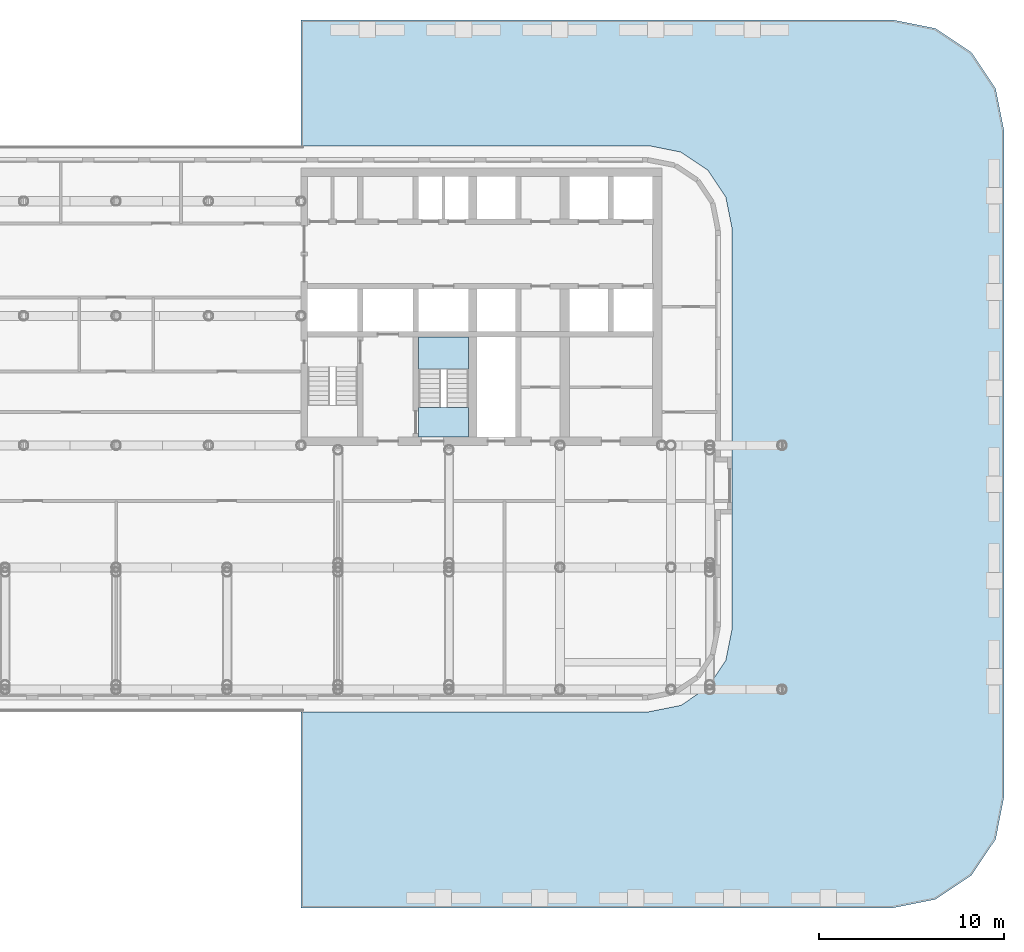
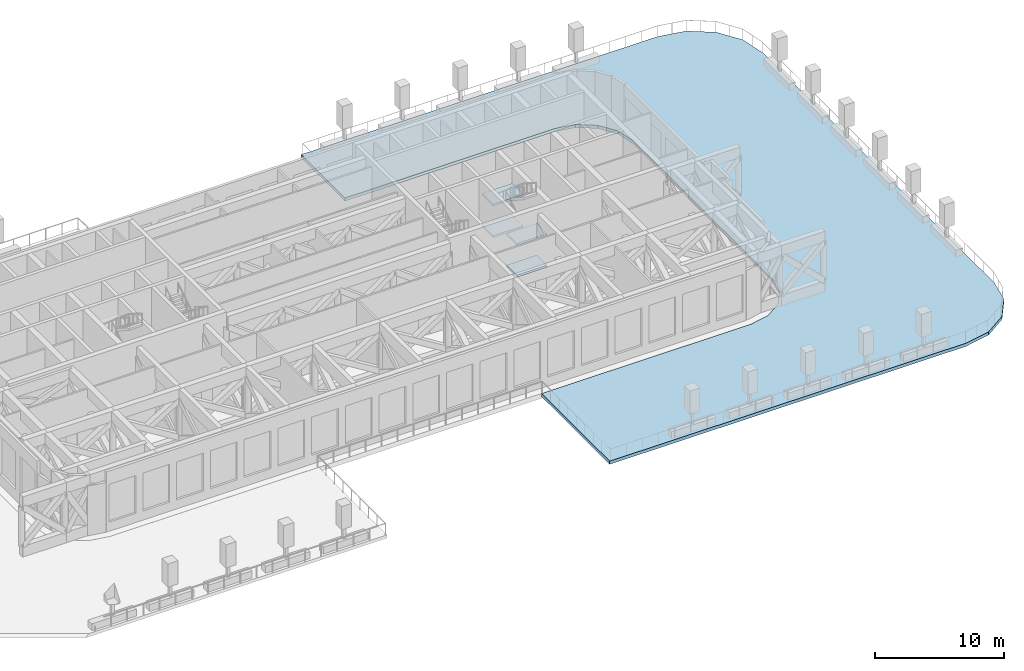
# One storey, part 7 of 20: 5 slabs, 1 element without a shape of its own.
"""IFC4 building model written with IfcOpenShell, lengths in metres."""

from ifc_helpers import new_model, si_unit, direction, frame, origin, place, context, subcontext, project, spatial, polyline, outline, extrude, material, layer, layer_set, type_object, element, aggregate, save


model = new_model("IFC4")

# Units and contexts
model_context = context("Model", 3, precision=1e-05, world=origin(), true_north=direction((0.0, 1.0)))
body_context = subcontext(model_context, "Body", "Model", "MODEL_VIEW")
ifc_project = project(units=[si_unit("LENGTHUNIT", "METRE"), si_unit("AREAUNIT", "SQUARE_METRE"), si_unit("VOLUMEUNIT", "CUBIC_METRE"), si_unit("PLANEANGLEUNIT", "RADIAN"), si_unit("MASSUNIT", "GRAM", prefix="KILO")], contexts=[model_context])

# Site, building, storey
site_placement = place(None, origin())
site = spatial("IfcSite", under=ifc_project, at=site_placement, CompositionType="ELEMENT")
building_placement = place(site_placement, origin())
building = spatial("IfcBuilding", under=site, at=building_placement, Name="Torana Hotel and Residences", CompositionType="ELEMENT")
storey_placement = place(building_placement, frame((0.0, 0.0, 18.0)))
storey = spatial("IfcBuildingStorey", under=building, at=storey_placement, Name="L03", CompositionType="ELEMENT", Elevation=18.0)

# Stair, slabs
ifc_material_1 = material(Name="Concrete C40/50 precast", Category="concrete")
stair_type = type_object("IfcStairType", Name="STAIR ST4 HALF TURN 1200", PredefinedType="HALF_TURN_STAIR", material=ifc_material_1)
stair_placement = place(storey_placement, origin())
stair = element("IfcStair", 1, at=stair_placement, inside=storey, type_object=stair_type, Name="Stair ST4 L03", PredefinedType="HALF_TURN_STAIR")
ifc_material_2 = material(Name="Concrete C40/50 precast", Category="concrete")
ifc_layer_1 = layer(ifc_material_2, 0.199951171875)
ifc_layer_set_1 = layer_set([ifc_layer_1], Name="STAIR LANDING 200")
slab_type_1 = type_object("IfcSlabType", Name="STAIR LANDING 200", PredefinedType="LANDING", material=ifc_layer_set_1)
slab_1_placement = place(storey_placement, frame((0.0, 0.0, 1.300048828125)))
slab_1 = element("IfcSlab", 2, at=slab_1_placement, type_object=slab_type_1, Name="ST4 landing 1", PredefinedType="LANDING", context=body_context, shape_type="SweptSolid", body=[
    extrude(outline(polyline([(16.35009765625, -10.8701171875), (19.050048828125, -10.8701171875), (19.050048828125, -9.14990234375), (16.35009765625, -9.14990234375), (16.35009765625, -10.8701171875)])), origin(), (0.0, 0.0, 1.0), 0.199951171875),
])
slab_2_placement = place(storey_placement, frame((0.0, 0.0, -0.199951171875)))
slab_2 = element("IfcSlab", 3, at=slab_2_placement, type_object=slab_type_1, Name="ST4 landing 2", PredefinedType="LANDING", context=body_context, shape_type="SweptSolid", body=[
    extrude(outline(polyline([(16.35009765625, -14.550048828125), (19.050048828125, -14.550048828125), (19.050048828125, -12.949951171875), (16.35009765625, -12.949951171875), (16.35009765625, -14.550048828125)])), origin(), (0.0, 0.0, 1.0), 0.199951171875),
])
slab_3_placement = place(storey_placement, frame((0.0, 0.0, 4.300048828125)))
slab_3 = element("IfcSlab", 4, at=slab_3_placement, type_object=slab_type_1, Name="ST4 landing 3", PredefinedType="LANDING", context=body_context, shape_type="SweptSolid", body=[
    extrude(outline(polyline([(16.35009765625, -10.8701171875), (19.050048828125, -10.8701171875), (19.050048828125, -9.14990234375), (16.35009765625, -9.14990234375), (16.35009765625, -10.8701171875)])), origin(), (0.0, 0.0, 1.0), 0.199951171875),
])
slab_4_placement = place(storey_placement, frame((0.0, 0.0, 2.800048828125)))
slab_4 = element("IfcSlab", 5, at=slab_4_placement, type_object=slab_type_1, Name="ST4 landing 4", PredefinedType="LANDING", context=body_context, shape_type="SweptSolid", body=[
    extrude(outline(polyline([(16.35009765625, -14.550048828125), (19.050048828125, -14.550048828125), (19.050048828125, -12.949951171875), (16.35009765625, -12.949951171875), (16.35009765625, -14.550048828125)])), origin(), (0.0, 0.0, 1.0), 0.199951171875),
])
aggregate(stair, [slab_1, slab_2, slab_3, slab_4])

# Slab
ifc_material_3 = material(Name="Concrete C40/50", Category="concrete")
ifc_layer_2 = layer(ifc_material_3, 0.300048828125)
ifc_layer_set_2 = layer_set([ifc_layer_2], Name="TR1 TERRACE SLAB 300")
slab_type_2 = type_object("IfcSlabType", Name="TR1 TERRACE SLAB 300", PredefinedType="USERDEFINED", material=ifc_layer_set_2)
slab_5_placement = place(storey_placement, frame((0.0, 0.0, -0.300048828125)))
element("IfcSlab", 6, at=slab_5_placement, inside=storey, type_object=slab_type_2, Name="Terrace L03 2", ObjectType="TERRACE", PredefinedType="USERDEFINED", context=body_context, shape_type="SweptSolid", body=[
    extrude(outline(polyline([(42.0, 8.0), (44.296142578125, 7.543212890625), (46.24267578125, 6.24267578125), (47.543212890625, 4.296142578125), (48.0, 2.0), (48.0, -34.0), (47.543212890625, -36.296142578125), (46.24267578125, -38.24267578125), (44.296142578125, -39.543212890625), (42.0, -40.0), (10.0, -40.0), (10.0, -29.40087890625), (28.800048828125, -29.40087890625), (28.800048828125, -29.40087890625), (28.80029296875, -29.40087890625), (30.522216796875, -29.05859375), (30.5224609375, -29.05859375), (30.5224609375, -29.058349609375), (30.522705078125, -29.058349609375), (30.522705078125, -29.058349609375), (31.982666015625, -28.082763671875), (31.982666015625, -28.082763671875), (31.982666015625, -28.082763671875), (31.98291015625, -28.08251953125), (31.98291015625, -28.08251953125), (32.958251953125, -26.622802734375), (32.95849609375, -26.62255859375), (32.95849609375, -26.62255859375), (32.95849609375, -26.622314453125), (32.95849609375, -26.622314453125), (33.301025390625, -24.900146484375), (33.301025390625, -24.900146484375), (33.301025390625, -24.89990234375), (33.301025390625, -3.300048828125), (33.301025390625, -3.2998046875), (33.301025390625, -3.2998046875), (32.95849609375, -1.57763671875), (32.95849609375, -1.57763671875), (32.95849609375, -1.577392578125), (32.95849609375, -1.577392578125), (32.958251953125, -1.577392578125), (31.98291015625, -0.117431640625), (31.98291015625, -0.117431640625), (31.982666015625, -0.1171875), (31.982666015625, -0.1171875), (31.982666015625, -0.1171875), (30.522705078125, 0.8583984375), (30.522705078125, 0.8583984375), (30.5224609375, 0.8583984375), (30.5224609375, 0.8583984375), (30.522216796875, 0.8583984375), (28.80029296875, 1.200927734375), (28.800048828125, 1.200927734375), (28.800048828125, 1.200927734375), (10.0, 1.200927734375), (10.0, 8.0), (42.0, 8.0)])), origin(), (0.0, 0.0, 1.0), 0.300048828125),
])

save(model, "model.ifc")
